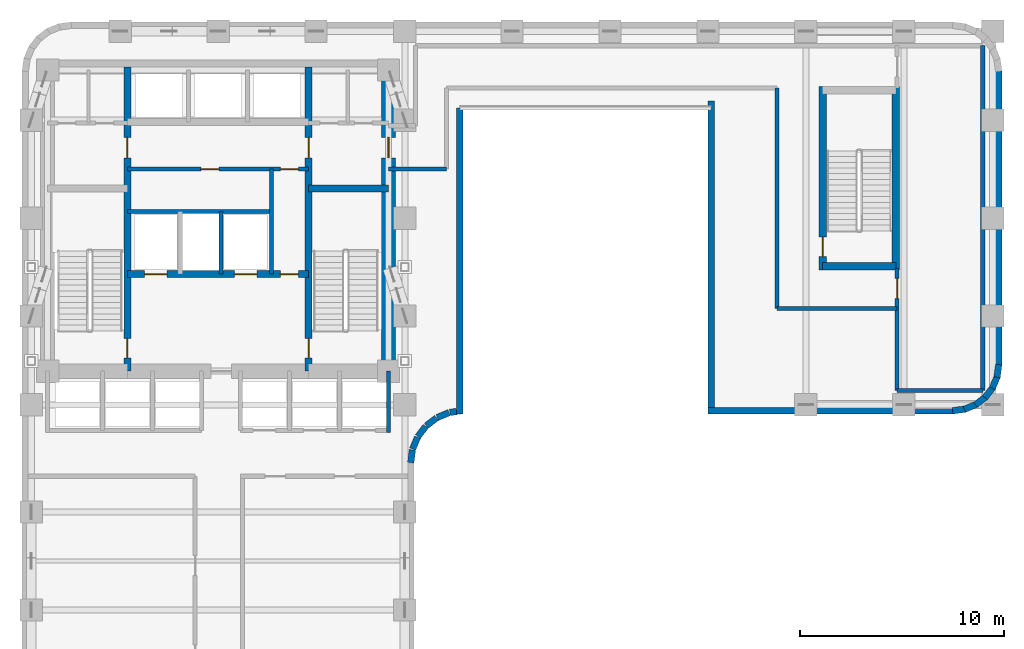
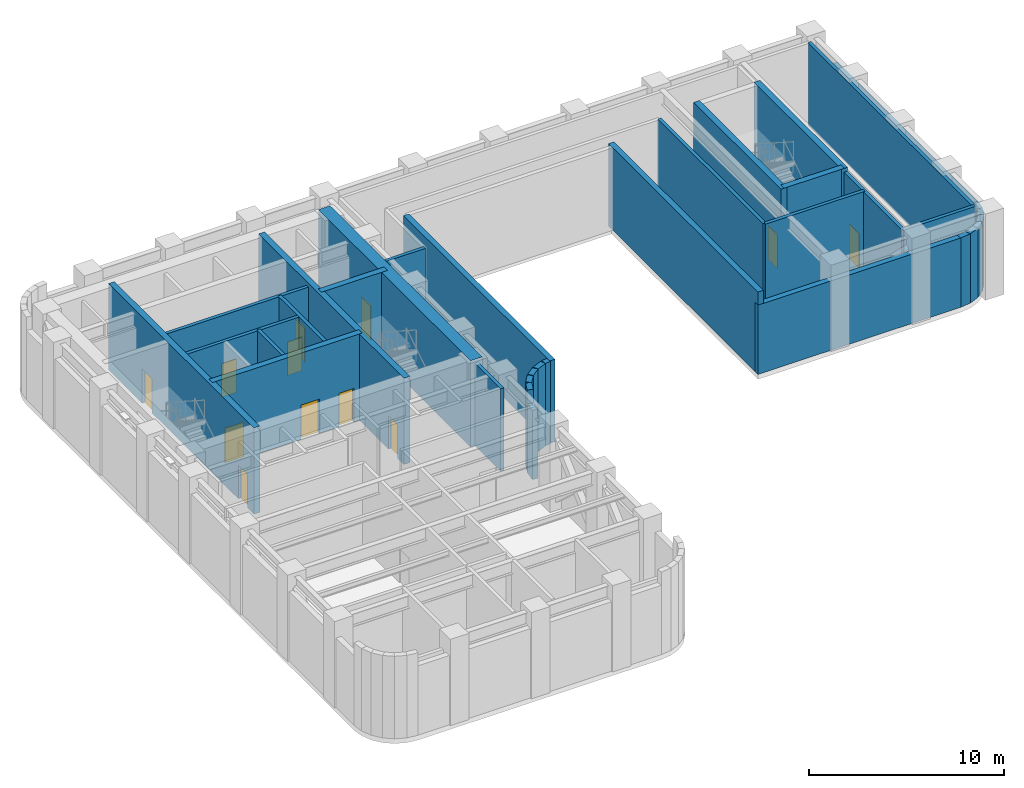
# One storey, part 6 of 9: 35 walls, 12 doors, 12 openings.
"""IFC4 building model written with IfcOpenShell, lengths in metres."""

from ifc_helpers import new_model, si_unit, direction, frame, frame_2d, origin, place, context, subcontext, project, spatial, rectangle, extrude, material, layer, layer_set, type_object, element, fill, save


model = new_model("IFC4")

# Units and contexts
model_context = context("Model", 3, precision=1e-05, world=origin(), true_north=direction((0.0, 1.0)))
body_context = subcontext(model_context, "Body", "Model", "MODEL_VIEW")
ifc_project = project(units=[si_unit("LENGTHUNIT", "METRE"), si_unit("AREAUNIT", "SQUARE_METRE"), si_unit("VOLUMEUNIT", "CUBIC_METRE"), si_unit("PLANEANGLEUNIT", "RADIAN"), si_unit("MASSUNIT", "GRAM", prefix="KILO")], contexts=[model_context])

# Site, building, storey
site_placement = place(None, origin())
site = spatial("IfcSite", under=ifc_project, at=site_placement, CompositionType="ELEMENT")
building_placement = place(site_placement, origin())
building = spatial("IfcBuilding", under=site, at=building_placement, Name="Orvandelia Arch Residences", CompositionType="ELEMENT")
storey_placement = place(building_placement, frame((0.0, 0.0, 101.800048828125)))
storey = spatial("IfcBuildingStorey", under=building, at=storey_placement, Name="L26", CompositionType="ELEMENT", Elevation=101.800048828125)

# Wall, openings, doors
ifc_material_1 = material(Name="Concrete C50/60", Category="concrete")
ifc_layer_1 = layer(ifc_material_1, 0.35009765625, Name="Concrete C50/60", Category="concrete")
ifc_layer_set_1 = layer_set([ifc_layer_1], Name="Concrete C50/60")
wall_type_1 = type_object("IfcWallType", Name="WL-CORE-350", PredefinedType="SHEAR", material=ifc_layer_set_1)
wall_1_placement = place(storey_placement, frame((9.9599609375, 30.89990234375, 0.0), z_axis=(0.0, 0.0, 1.0), x_axis=(0.0, 1.0, 0.0)))
wall_1 = element("IfcWall", 1, at=wall_1_placement, inside=storey, type_object=wall_type_1, Name="Core Shear Wall L26-WEB1", PredefinedType="SHEAR", context=body_context, shape_type="SweptSolid", body=[
    extrude(rectangle(XDim=14.900146484375, YDim=0.35009765625, at=frame_2d((7.4501953125, 0.0))), origin(), (0.0, 0.0, 1.0), 5.39990234375),
])
opening_1_placement = place(wall_1_placement, frame((0.64990234375, 0.0, 0.0)))
opening_1 = element("IfcOpeningElement", 2, at=opening_1_placement, cuts=wall_1, Name="Opening D7", PredefinedType="OPENING", context=body_context, shape_type="SweptSolid", body=[
    extrude(rectangle(XDim=0.949951171875, YDim=2.10009765625, at=frame_2d((0.47509765625, 1.050048828125))), frame((0.0, 0.18505859375, 0.0), z_axis=(0.0, -1.0, 0.0), x_axis=(1.0, 0.0, 0.0)), (0.0, 0.0, 1.0), 0.3701171875),
])
opening_2_placement = place(wall_1_placement, frame((10.449951171875, 0.0, 0.0)))
opening_2 = element("IfcOpeningElement", 3, at=opening_2_placement, cuts=wall_1, Name="Opening D6", PredefinedType="OPENING", context=body_context, shape_type="SweptSolid", body=[
    extrude(rectangle(XDim=1.0, YDim=2.14990234375, at=frame_2d((0.5, 1.074951171875))), frame((0.0, 0.18505859375, 0.0), z_axis=(0.0, -1.0, 0.0), x_axis=(1.0, 0.0, 0.0)), (0.0, 0.0, 1.0), 0.3701171875),
])
ifc_material_2 = material(Name="Smokeproof Painted Steel Fire Door", Category="steel")
door_type_1 = type_object("IfcDoorType", Name="DR-FD60-1000", OperationType="NOTDEFINED", PredefinedType="DOOR", material=ifc_material_2)
door_1_placement = place(opening_2_placement, origin())
door_1 = element("IfcDoor", 4, at=door_1_placement, inside=storey, type_object=door_type_1, Name="High-Rise Lift Hall West Vestibule Door L26", OperationType="SINGLE_SWING_LEFT", OverallHeight=2.14990234375, OverallWidth=1.0, PredefinedType="DOOR", context=body_context, shape_type="SweptSolid", body=[
    extrude(rectangle(XDim=1.0, YDim=2.14990234375, at=frame_2d((0.5, 1.074951171875))), frame((0.0, 0.02490234375, 0.0), z_axis=(0.0, -1.0, 0.0), x_axis=(1.0, 0.0, 0.0)), (0.0, 0.0, 1.0), 0.050048828125),
])
fill(opening_2, door_1)
ifc_material_3 = material(Name="Pressurised Stairwell Fire Door")
door_type_2 = type_object("IfcDoorType", Name="DR-STAIR-950", OperationType="NOTDEFINED", PredefinedType="DOOR", material=ifc_material_3)
door_2_placement = place(opening_1_placement, origin())
door_2 = element("IfcDoor", 5, at=door_2_placement, inside=storey, type_object=door_type_2, Name="Stairwell ST-1 Fire Door L26", OperationType="SINGLE_SWING_LEFT", OverallHeight=2.10009765625, OverallWidth=0.949951171875, PredefinedType="DOOR", context=body_context, shape_type="SweptSolid", body=[
    extrude(rectangle(XDim=0.949951171875, YDim=2.10009765625, at=frame_2d((0.47509765625, 1.050048828125))), frame((0.0, 0.02490234375, 0.0), z_axis=(0.0, -1.0, 0.0), x_axis=(1.0, 0.0, 0.0)), (0.0, 0.0, 1.0), 0.050048828125),
])
fill(opening_1, door_2)

wall_2_placement = place(storey_placement, frame((18.840087890625, 30.89990234375, 0.0), z_axis=(0.0, 0.0, 1.0), x_axis=(0.0, 1.0, 0.0)))
wall_2 = element("IfcWall", 6, at=wall_2_placement, inside=storey, type_object=wall_type_1, Name="Core Shear Wall L26-WEB2", PredefinedType="SHEAR", context=body_context, shape_type="SweptSolid", body=[
    extrude(rectangle(XDim=14.900146484375, YDim=0.35009765625, at=frame_2d((7.4501953125, 0.0))), origin(), (0.0, 0.0, 1.0), 5.39990234375),
])
opening_3_placement = place(wall_2_placement, frame((0.64990234375, 0.0, 0.0)))
opening_3 = element("IfcOpeningElement", 7, at=opening_3_placement, cuts=wall_2, Name="Opening D7", PredefinedType="OPENING", context=body_context, shape_type="SweptSolid", body=[
    extrude(rectangle(XDim=0.949951171875, YDim=2.10009765625, at=frame_2d((0.47509765625, 1.050048828125))), frame((0.0, 0.18505859375, 0.0), z_axis=(0.0, -1.0, 0.0), x_axis=(1.0, 0.0, 0.0)), (0.0, 0.0, 1.0), 0.3701171875),
])
opening_4_placement = place(wall_2_placement, frame((10.449951171875, 0.0, 0.0)))
opening_4 = element("IfcOpeningElement", 8, at=opening_4_placement, cuts=wall_2, Name="Opening D6", PredefinedType="OPENING", context=body_context, shape_type="SweptSolid", body=[
    extrude(rectangle(XDim=1.0, YDim=2.14990234375, at=frame_2d((0.5, 1.074951171875))), frame((0.0, 0.18505859375, 0.0), z_axis=(0.0, -1.0, 0.0), x_axis=(1.0, 0.0, 0.0)), (0.0, 0.0, 1.0), 0.3701171875),
])
door_3_placement = place(opening_4_placement, origin())
door_3 = element("IfcDoor", 9, at=door_3_placement, inside=storey, type_object=door_type_1, Name="High-Rise Lift Hall East Vestibule Door L26", OperationType="SINGLE_SWING_RIGHT", OverallHeight=2.14990234375, OverallWidth=1.0, PredefinedType="DOOR", context=body_context, shape_type="SweptSolid", body=[
    extrude(rectangle(XDim=1.0, YDim=2.14990234375, at=frame_2d((0.5, 1.074951171875))), frame((0.0, 0.02490234375, 0.0), z_axis=(0.0, -1.0, 0.0), x_axis=(1.0, 0.0, 0.0)), (0.0, 0.0, 1.0), 0.050048828125),
])
fill(opening_4, door_3)
door_4_placement = place(opening_3_placement, origin())
door_4 = element("IfcDoor", 10, at=door_4_placement, inside=storey, type_object=door_type_2, Name="Stairwell ST-2 Fire Door L26", OperationType="SINGLE_SWING_RIGHT", OverallHeight=2.10009765625, OverallWidth=0.949951171875, PredefinedType="DOOR", context=body_context, shape_type="SweptSolid", body=[
    extrude(rectangle(XDim=0.949951171875, YDim=2.10009765625, at=frame_2d((0.47509765625, 1.050048828125))), frame((0.0, 0.02490234375, 0.0), z_axis=(0.0, -1.0, 0.0), x_axis=(1.0, 0.0, 0.0)), (0.0, 0.0, 1.0), 0.050048828125),
])
fill(opening_3, door_4)

# Wall
wall_3_placement = place(storey_placement, frame((18.840087890625, 39.85009765625, 0.0), z_axis=(0.0, 0.0, 1.0), x_axis=(1.0, 0.0, 0.0)))
element("IfcWall", 11, at=wall_3_placement, inside=storey, type_object=wall_type_1, Name="Core Shear Wall L26-HZ2", PredefinedType="SHEAR", context=body_context, shape_type="SweptSolid", body=[
    extrude(rectangle(XDim=3.909912109375, YDim=0.35009765625, at=frame_2d((1.955078125, 0.0))), origin(), (0.0, 0.0, 1.0), 5.39990234375),
])

# Wall, openings, doors
wall_4_placement = place(storey_placement, frame((9.9599609375, 35.64990234375, 0.0), z_axis=(0.0, 0.0, 1.0), x_axis=(1.0, 0.0, 0.0)))
wall_4 = element("IfcWall", 12, at=wall_4_placement, inside=storey, type_object=wall_type_1, Name="Core Shear Wall L26-HZ3", PredefinedType="SHEAR", context=body_context, shape_type="SweptSolid", body=[
    extrude(rectangle(XDim=8.880126953125, YDim=0.35009765625, at=frame_2d((4.43994140625, 0.0))), origin(), (0.0, 0.0, 1.0), 5.39990234375),
])
opening_5_placement = place(wall_4_placement, frame((0.840087890625, 0.0, 0.0)))
opening_5 = element("IfcOpeningElement", 13, at=opening_5_placement, cuts=wall_4, Name="Opening FLD", PredefinedType="OPENING", context=body_context, shape_type="SweptSolid", body=[
    extrude(rectangle(XDim=1.10009765625, YDim=2.14990234375, at=frame_2d((0.550048828125, 1.074951171875))), frame((0.0, 0.18505859375, 0.0), z_axis=(0.0, -1.0, 0.0), x_axis=(1.0, 0.0, 0.0)), (0.0, 0.0, 1.0), 0.3701171875),
])
opening_6_placement = place(wall_4_placement, frame((5.239990234375, 0.0, 0.0)))
opening_6 = element("IfcOpeningElement", 14, at=opening_6_placement, cuts=wall_4, Name="Opening FLD", PredefinedType="OPENING", context=body_context, shape_type="SweptSolid", body=[
    extrude(rectangle(XDim=1.10009765625, YDim=2.14990234375, at=frame_2d((0.550048828125, 1.074951171875))), frame((0.0, 0.18505859375, 0.0), z_axis=(0.0, -1.0, 0.0), x_axis=(1.0, 0.0, 0.0)), (0.0, 0.0, 1.0), 0.3701171875),
])
opening_7_placement = place(wall_4_placement, frame((7.5, 0.0, 0.0)))
opening_7 = element("IfcOpeningElement", 15, at=opening_7_placement, cuts=wall_4, Name="Opening D5", PredefinedType="OPENING", context=body_context, shape_type="SweptSolid", body=[
    extrude(rectangle(XDim=0.8798828125, YDim=2.10009765625, at=frame_2d((0.43994140625, 1.050048828125))), frame((0.0, 0.18505859375, 0.0), z_axis=(0.0, -1.0, 0.0), x_axis=(1.0, 0.0, 0.0)), (0.0, 0.0, 1.0), 0.3701171875),
])
ifc_material_4 = material(Name="Firefighting Lift Stainless Sliding Door")
door_type_3 = type_object("IfcDoorType", Name="DR-FLFT-1100", OperationType="NOTDEFINED", PredefinedType="DOOR", material=ifc_material_4)
door_5_placement = place(opening_5_placement, origin())
door_5 = element("IfcDoor", 16, at=door_5_placement, inside=storey, type_object=door_type_3, Name="Firefighting Lift Landing Door FLD-FL1-L26", OperationType="SLIDING_TO_LEFT", OverallHeight=2.14990234375, OverallWidth=1.10009765625, PredefinedType="DOOR", context=body_context, shape_type="SweptSolid", body=[
    extrude(rectangle(XDim=1.10009765625, YDim=2.14990234375, at=frame_2d((0.550048828125, 1.074951171875))), frame((0.0, 0.02490234375, 0.0), z_axis=(0.0, -1.0, 0.0), x_axis=(1.0, 0.0, 0.0)), (0.0, 0.0, 1.0), 0.050048828125),
])
fill(opening_5, door_5)
door_6_placement = place(opening_6_placement, origin())
door_6 = element("IfcDoor", 17, at=door_6_placement, inside=storey, type_object=door_type_3, Name="Firefighting Lift Landing Door FLD-FL2-L26", OperationType="SLIDING_TO_RIGHT", OverallHeight=2.14990234375, OverallWidth=1.10009765625, PredefinedType="DOOR", context=body_context, shape_type="SweptSolid", body=[
    extrude(rectangle(XDim=1.10009765625, YDim=2.14990234375, at=frame_2d((0.550048828125, 1.074951171875))), frame((0.0, 0.02490234375, 0.0), z_axis=(0.0, -1.0, 0.0), x_axis=(1.0, 0.0, 0.0)), (0.0, 0.0, 1.0), 0.050048828125),
])
fill(opening_6, door_6)
ifc_material_5 = material(Name="Painted Galvanised Steel Service Door", Category="steel")
door_type_4 = type_object("IfcDoorType", Name="DR-SRV-880", OperationType="NOTDEFINED", PredefinedType="DOOR", material=ifc_material_5)
door_7_placement = place(opening_7_placement, origin())
door_7 = element("IfcDoor", 18, at=door_7_placement, inside=storey, type_object=door_type_4, Name="Core Stairway Passage South Fire Door L26", OperationType="SINGLE_SWING_LEFT", OverallHeight=2.10009765625, OverallWidth=0.8798828125, PredefinedType="DOOR", context=body_context, shape_type="SweptSolid", body=[
    extrude(rectangle(XDim=0.8798828125, YDim=2.10009765625, at=frame_2d((0.43994140625, 1.050048828125))), frame((0.0, 0.02490234375, 0.0), z_axis=(0.0, -1.0, 0.0), x_axis=(1.0, 0.0, 0.0)), (0.0, 0.0, 1.0), 0.050048828125),
])
fill(opening_7, door_7)

# Wall, opening, door
wall_5_placement = place(storey_placement, frame((44.02001953125, 35.864990234375, 0.0), z_axis=(0.0, 0.0, 1.0), x_axis=(0.0, 1.0, 0.0)))
wall_5 = element("IfcWall", 19, at=wall_5_placement, inside=storey, type_object=wall_type_1, Name="East Stair Core Shear Wall L26-W", PredefinedType="SHEAR", context=body_context, shape_type="SweptSolid", body=[
    extrude(rectangle(XDim=8.969970703125, YDim=0.35009765625, at=frame_2d((4.48486328125, 0.0))), origin(), (0.0, 0.0, 1.0), 5.39990234375),
])
opening_8_placement = place(wall_5_placement, frame((0.64990234375, 0.0, 0.0)))
opening_8 = element("IfcOpeningElement", 20, at=opening_8_placement, cuts=wall_5, Name="Opening D7", PredefinedType="OPENING", context=body_context, shape_type="SweptSolid", body=[
    extrude(rectangle(XDim=0.949951171875, YDim=2.10009765625, at=frame_2d((0.47509765625, 1.050048828125))), frame((0.0, 0.18505859375, 0.0), z_axis=(0.0, -1.0, 0.0), x_axis=(1.0, 0.0, 0.0)), (0.0, 0.0, 1.0), 0.3701171875),
])
door_8_placement = place(opening_8_placement, origin())
door_8 = element("IfcDoor", 21, at=door_8_placement, inside=storey, type_object=door_type_2, Name="East Stairwell ST-3 Fire Door L26", OperationType="SINGLE_SWING_LEFT", OverallHeight=2.10009765625, OverallWidth=0.949951171875, PredefinedType="DOOR", context=body_context, shape_type="SweptSolid", body=[
    extrude(rectangle(XDim=0.949951171875, YDim=2.10009765625, at=frame_2d((0.47509765625, 1.050048828125))), frame((0.0, 0.02490234375, 0.0), z_axis=(0.0, -1.0, 0.0), x_axis=(1.0, 0.0, 0.0)), (0.0, 0.0, 1.0), 0.050048828125),
])
fill(opening_8, door_8)

# Walls
wall_6_placement = place(storey_placement, frame((47.60009765625, 35.864990234375, 0.0), z_axis=(0.0, 0.0, 1.0), x_axis=(0.0, 1.0, 0.0)))
element("IfcWall", 22, at=wall_6_placement, inside=storey, type_object=wall_type_1, Name="East Stair Core Shear Wall L26-E", PredefinedType="SHEAR", context=body_context, shape_type="SweptSolid", body=[
    extrude(rectangle(XDim=8.969970703125, YDim=0.35009765625, at=frame_2d((4.48486328125, 0.0))), origin(), (0.0, 0.0, 1.0), 5.39990234375),
])
wall_7_placement = place(storey_placement, frame((44.02001953125, 36.0400390625, 0.0), z_axis=(0.0, 0.0, 1.0), x_axis=(1.0, 0.0, 0.0)))
element("IfcWall", 23, at=wall_7_placement, inside=storey, type_object=wall_type_1, Name="East Stair Core Shear Wall L26-S", PredefinedType="SHEAR", context=body_context, shape_type="SweptSolid", body=[
    extrude(rectangle(XDim=3.580078125, YDim=0.35009765625, at=frame_2d((1.7900390625, 0.0))), origin(), (0.0, 0.0, 1.0), 5.39990234375),
])

# Wall, opening, door
ifc_material_6 = material(Name="Concrete C80/95", Category="concrete")
ifc_layer_2 = layer(ifc_material_6, 0.699951171875, Name="Concrete C80/95", Category="concrete")
ifc_layer_set_2 = layer_set([ifc_layer_2], Name="Concrete C80/95")
wall_type_2 = type_object("IfcWallType", Name="WL-CORE-700", PredefinedType="SHEAR", material=ifc_layer_set_2)
wall_8_placement = place(storey_placement, frame((22.75, 30.550048828125, 0.0), z_axis=(0.0, 0.0, 1.0), x_axis=(0.0, 1.0, 0.0)))
wall_8 = element("IfcWall", 24, at=wall_8_placement, inside=storey, type_object=wall_type_2, Name="Core Shear Wall L26-E", PredefinedType="SHEAR", context=body_context, shape_type="SweptSolid", body=[
    extrude(rectangle(XDim=15.599853515625, YDim=0.699951171875, at=frame_2d((7.7998046875, 0.0))), origin(), (0.0, 0.0, 1.0), 5.39990234375),
])
opening_9_placement = place(wall_8_placement, frame((10.800048828125, 0.0, 0.0)))
opening_9 = element("IfcOpeningElement", 25, at=opening_9_placement, cuts=wall_8, Name="Opening D6", PredefinedType="OPENING", context=body_context, shape_type="SweptSolid", body=[
    extrude(rectangle(XDim=1.0, YDim=2.14990234375, at=frame_2d((0.5, 1.074951171875))), frame((0.0, 0.35986328125, 0.0), z_axis=(0.0, -1.0, 0.0), x_axis=(1.0, 0.0, 0.0)), (0.0, 0.0, 1.0), 0.719970703125),
])
door_9_placement = place(opening_9_placement, origin())
door_9 = element("IfcDoor", 26, at=door_9_placement, inside=storey, type_object=door_type_1, Name="Core East Corridor Link Door L26", OperationType="SINGLE_SWING_LEFT", OverallHeight=2.14990234375, OverallWidth=1.0, PredefinedType="DOOR", context=body_context, shape_type="SweptSolid", body=[
    extrude(rectangle(XDim=1.0, YDim=2.14990234375, at=frame_2d((0.5, 1.074951171875))), frame((0.0, 0.02490234375, 0.0), z_axis=(0.0, -1.0, 0.0), x_axis=(1.0, 0.0, 0.0)), (0.0, 0.0, 1.0), 0.050048828125),
])
fill(opening_9, door_9)

# Walls
ifc_material_7 = material(Name="Fire-Rated Corridor Partition")
ifc_layer_3 = layer(ifc_material_7, 0.199951171875, Name="Fire-Rated Corridor Partition")
ifc_layer_set_3 = layer_set([ifc_layer_3], Name="Fire-Rated Corridor Partition")
wall_type_3 = type_object("IfcWallType", Name="WL-CORR-200", PredefinedType="PARTITIONING", material=ifc_layer_set_3)
wall_9_placement = place(storey_placement, frame((22.75, 40.800048828125, 0.0), z_axis=(0.0, 0.0, 1.0), x_axis=(1.0, 0.0, 0.0)))
element("IfcWall", 27, at=wall_9_placement, inside=storey, type_object=wall_type_3, Name="Interior Partition Wall WL-L26-ERL-KS", PredefinedType="PARTITIONING", context=body_context, shape_type="SweptSolid", body=[
    extrude(rectangle(XDim=2.85009765625, YDim=0.199951171875, at=frame_2d((1.425048828125, 0.0))), origin(), (0.0, 0.0, 1.0), 5.159912109375),
])
wall_10_placement = place(storey_placement, frame((41.780029296875, 33.9599609375, 0.0), z_axis=(0.0, 0.0, 1.0), x_axis=(0.0, 1.0, 0.0)))
element("IfcWall", 28, at=wall_10_placement, inside=storey, type_object=wall_type_3, Name="Interior Partition Wall WL-L26-ERL-SW", PredefinedType="PARTITIONING", context=body_context, shape_type="SweptSolid", body=[
    extrude(rectangle(XDim=10.800048828125, YDim=0.199951171875, at=frame_2d((5.39990234375, 0.0))), origin(), (0.0, 0.0, 1.0), 5.159912109375),
])
wall_11_placement = place(storey_placement, frame((41.780029296875, 33.9599609375, 0.0), z_axis=(0.0, 0.0, 1.0), x_axis=(1.0, 0.0, 0.0)))
element("IfcWall", 29, at=wall_11_placement, inside=storey, type_object=wall_type_3, Name="Interior Partition Wall WL-L26-ERL-SS", PredefinedType="PARTITIONING", context=body_context, shape_type="SweptSolid", body=[
    extrude(rectangle(XDim=5.8798828125, YDim=0.199951171875, at=frame_2d((2.93994140625, 0.0))), origin(), (0.0, 0.0, 1.0), 5.159912109375),
])

# Wall, opening, door
wall_12_placement = place(storey_placement, frame((47.659912109375, 29.9599609375, 0.0), z_axis=(0.0, 0.0, 1.0), x_axis=(0.0, 1.0, 0.0)))
wall_12 = element("IfcWall", 30, at=wall_12_placement, inside=storey, type_object=wall_type_3, Name="Interior Partition Wall WL-L26-EREF-W2", PredefinedType="PARTITIONING", context=body_context, shape_type="SweptSolid", body=[
    extrude(rectangle(XDim=5.9599609375, YDim=0.199951171875, at=frame_2d((2.97998046875, 0.0))), origin(), (0.0, 0.0, 1.0), 5.159912109375),
])
opening_10_placement = place(wall_12_placement, frame((4.489990234375, 0.0, 0.0)))
opening_10 = element("IfcOpeningElement", 31, at=opening_10_placement, cuts=wall_12, Name="Opening D6", PredefinedType="OPENING", context=body_context, shape_type="SweptSolid", body=[
    extrude(rectangle(XDim=1.0, YDim=2.14990234375, at=frame_2d((0.5, 1.074951171875))), frame((0.0, 0.10986328125, 0.0), z_axis=(0.0, -1.0, 0.0), x_axis=(1.0, 0.0, 0.0)), (0.0, 0.0, 1.0), 0.219970703125),
])
door_10_placement = place(opening_10_placement, origin())
door_10 = element("IfcDoor", 32, at=door_10_placement, inside=storey, type_object=door_type_1, Name="East Refuge Safety Zone South Fire Door L26", OperationType="SINGLE_SWING_RIGHT", OverallHeight=2.14990234375, OverallWidth=1.0, PredefinedType="DOOR", context=body_context, shape_type="SweptSolid", body=[
    extrude(rectangle(XDim=1.0, YDim=2.14990234375, at=frame_2d((0.5, 1.074951171875))), frame((0.0, 0.02490234375, 0.0), z_axis=(0.0, -1.0, 0.0), x_axis=(1.0, 0.0, 0.0)), (0.0, 0.0, 1.0), 0.050048828125),
])
fill(opening_10, door_10)

# Walls
wall_13_placement = place(storey_placement, frame((51.860107421875, 29.9599609375, 0.0), z_axis=(0.0, 0.0, 1.0), x_axis=(0.0, 1.0, 0.0)))
element("IfcWall", 33, at=wall_13_placement, inside=storey, type_object=wall_type_3, Name="Interior Partition Wall WL-L26-EREF-E", PredefinedType="PARTITIONING", context=body_context, shape_type="SweptSolid", body=[
    extrude(rectangle(XDim=16.880126953125, YDim=0.199951171875, at=frame_2d((8.43994140625, 0.0))), origin(), (0.0, 0.0, 1.0), 5.159912109375),
])
wall_14_placement = place(storey_placement, frame((47.659912109375, 29.9599609375, 0.0), z_axis=(0.0, 0.0, 1.0), x_axis=(1.0, 0.0, 0.0)))
element("IfcWall", 34, at=wall_14_placement, inside=storey, type_object=wall_type_3, Name="Interior Partition Wall WL-L26-EREF-S", PredefinedType="PARTITIONING", context=body_context, shape_type="SweptSolid", body=[
    extrude(rectangle(XDim=4.2001953125, YDim=0.199951171875, at=frame_2d((2.10009765625, 0.0))), origin(), (0.0, 0.0, 1.0), 5.159912109375),
])
ifc_material_8 = material(Name="Precast concrete C40/50", Category="concrete")
ifc_layer_4 = layer(ifc_material_8, 0.320068359375, Name="Precast concrete C40/50", Category="concrete")
ifc_layer_set_4 = layer_set([ifc_layer_4], Name="Precast concrete C40/50")
wall_type_4 = type_object("IfcWallType", Name="WL-EXT-STONE-320", PredefinedType="STANDARD", material=ifc_layer_set_4)
wall_15_placement = place(storey_placement, frame((52.639892578125, 45.60009765625, 0.0), z_axis=(0.0, 0.0, 1.0), x_axis=(0.0, -1.0, 0.0)))
element("IfcWall", 35, at=wall_15_placement, inside=storey, type_object=wall_type_4, Name="Coral-Limestone Precast Facade Wall L26-014", PredefinedType="STANDARD", context=body_context, shape_type="SweptSolid", body=[
    extrude(rectangle(XDim=14.400146484375, YDim=0.320068359375, at=frame_2d((7.2001953125, 0.0))), origin(), (0.0, 0.0, 1.0), 4.33984375),
])
wall_16_placement = place(storey_placement, frame((52.641357421875, 31.220947265625, 0.0), z_axis=(0.0, 0.0, 1.0), x_axis=(-0.130504898859, -0.991447664465, 0.0)))
element("IfcWall", 36, at=wall_16_placement, inside=storey, type_object=wall_type_4, Name="Coral-Limestone Precast Facade Wall L26-015", PredefinedType="STANDARD", context=body_context, shape_type="SweptSolid", body=[
    extrude(rectangle(XDim=0.626708984375, YDim=0.320068359375, at=frame_2d((0.3134765625, 0.0))), origin(), (0.0, 0.0, 1.0), 4.33984375),
])
wall_17_placement = place(storey_placement, frame((52.5703125, 30.639892578125, 0.0), z_axis=(0.0, 0.0, 1.0), x_axis=(-0.382455093999, -0.923974080304, 0.0)))
element("IfcWall", 37, at=wall_17_placement, inside=storey, type_object=wall_type_4, Name="Coral-Limestone Precast Facade Wall L26-016", PredefinedType="STANDARD", context=body_context, shape_type="SweptSolid", body=[
    extrude(rectangle(XDim=0.626220703125, YDim=0.320068359375, at=frame_2d((0.31298828125, 0.0))), origin(), (0.0, 0.0, 1.0), 4.33984375),
])
wall_18_placement = place(storey_placement, frame((52.3515625, 30.097412109375, 0.0), z_axis=(0.0, 0.0, 1.0), x_axis=(-0.608693302629, -0.793405610854, 0.0)))
element("IfcWall", 38, at=wall_18_placement, inside=storey, type_object=wall_type_4, Name="Coral-Limestone Precast Facade Wall L26-017", PredefinedType="STANDARD", context=body_context, shape_type="SweptSolid", body=[
    extrude(rectangle(XDim=0.62646484375, YDim=0.320068359375, at=frame_2d((0.313232421875, 0.0))), origin(), (0.0, 0.0, 1.0), 4.33984375),
])
wall_19_placement = place(storey_placement, frame((51.999755859375, 29.6298828125, 0.0), z_axis=(0.0, 0.0, 1.0), x_axis=(-0.7932174212, -0.608938521285, 0.0)))
element("IfcWall", 39, at=wall_19_placement, inside=storey, type_object=wall_type_4, Name="Coral-Limestone Precast Facade Wall L26-018", PredefinedType="STANDARD", context=body_context, shape_type="SweptSolid", body=[
    extrude(rectangle(XDim=0.626708984375, YDim=0.320068359375, at=frame_2d((0.3134765625, 0.0))), origin(), (0.0, 0.0, 1.0), 4.33984375),
])
for number, where, z_axis, x_axis, name in (
    (40, (51.538818359375, 29.269287109375, 0.0), (0.0, 0.0, 1.0), (-0.92389335771, -0.382650053678, 0.0), "Coral-Limestone Precast Facade Wall L26-019"),
    (41, (51.000244140625, 29.040283203125, 0.0), (0.0, 0.0, 1.0), (-0.9914410257, -0.130555323746, 0.0), "Coral-Limestone Precast Facade Wall L26-020"),
):
    element("IfcWall", number, at=place(storey_placement, frame(where, z_axis=z_axis, x_axis=x_axis)), inside=storey, type_object=wall_type_4, Name=name, PredefinedType="STANDARD", context=body_context, shape_type="SweptSolid", body=[
        extrude(rectangle(XDim=0.62646484375, YDim=0.320068359375, at=frame_2d((0.313232421875, 0.0))), origin(), (0.0, 0.0, 1.0), 4.33984375),
    ])
wall_20_placement = place(storey_placement, frame((50.39990234375, 28.9599609375, 0.0), z_axis=(0.0, 0.0, 1.0), x_axis=(-1.0, 0.0, 0.0)))
element("IfcWall", 42, at=wall_20_placement, inside=storey, type_object=wall_type_4, Name="Coral-Limestone Precast Facade Wall L26-021", PredefinedType="STANDARD", context=body_context, shape_type="SweptSolid", body=[
    extrude(rectangle(XDim=12.0, YDim=0.320068359375, at=frame_2d((6.0, 0.0))), origin(), (0.0, 0.0, 1.0), 4.33984375),
])
wall_21_placement = place(storey_placement, frame((38.56005859375, 28.800048828125, 0.0), z_axis=(0.0, 0.0, 1.0), x_axis=(0.0, 1.0, 0.0)))
element("IfcWall", 43, at=wall_21_placement, inside=storey, type_object=wall_type_4, Name="Coral-Limestone Precast Facade Wall L26-022", PredefinedType="STANDARD", context=body_context, shape_type="SweptSolid", body=[
    extrude(rectangle(XDim=15.320068359375, YDim=0.320068359375, at=frame_2d((7.66015625, 0.0))), origin(), (0.0, 0.0, 1.0), 5.159912109375),
])
wall_22_placement = place(storey_placement, frame((26.239990234375, 43.800048828125, 0.0), z_axis=(0.0, 0.0, 1.0), x_axis=(0.0, -1.0, 0.0)))
element("IfcWall", 44, at=wall_22_placement, inside=storey, type_object=wall_type_4, Name="Coral-Limestone Precast Facade Wall L26-023", PredefinedType="STANDARD", context=body_context, shape_type="SweptSolid", body=[
    extrude(rectangle(XDim=15.0, YDim=0.320068359375, at=frame_2d((7.5, 0.0))), origin(), (0.0, 0.0, 1.0), 5.159912109375),
])
wall_23_placement = place(storey_placement, frame((26.081787109375, 28.91943359375, 0.0), z_axis=(0.0, 0.0, 1.0), x_axis=(-0.991512688813, -0.130009953168, 0.0)))
element("IfcWall", 45, at=wall_23_placement, inside=storey, type_object=wall_type_4, Name="Coral-Limestone Precast Facade Wall L26-024", PredefinedType="STANDARD", context=body_context, shape_type="SweptSolid", body=[
    extrude(rectangle(XDim=0.32666015625, YDim=0.320068359375, at=frame_2d((0.163330078125, 0.0))), origin(), (0.0, 0.0, 1.0), 5.159912109375),
])
wall_24_placement = place(storey_placement, frame((25.717529296875, 28.865966796875, 0.0), z_axis=(0.0, 0.0, 1.0), x_axis=(-0.923836271867, -0.382787856107, 0.0)))
element("IfcWall", 46, at=wall_24_placement, inside=storey, type_object=wall_type_4, Name="Coral-Limestone Precast Facade Wall L26-025", PredefinedType="STANDARD", context=body_context, shape_type="SweptSolid", body=[
    extrude(rectangle(XDim=0.626220703125, YDim=0.320068359375, at=frame_2d((0.31298828125, 0.0))), origin(), (0.0, 0.0, 1.0), 5.159912109375),
])
for number, where, z_axis, x_axis, name in (
    (47, (25.1025390625, 28.60546875, 0.0), (0.0, 0.0, 1.0), (-0.793405610854, -0.608693302629, 0.0), "Coral-Limestone Precast Facade Wall L26-026"),
    (48, (24.575927734375, 28.194580078125, 0.0), (0.0, 0.0, 1.0), (-0.608693302629, -0.793405610854, 0.0), "Coral-Limestone Precast Facade Wall L26-027"),
):
    element("IfcWall", number, at=place(storey_placement, frame(where, z_axis=z_axis, x_axis=x_axis)), inside=storey, type_object=wall_type_4, Name=name, PredefinedType="STANDARD", context=body_context, shape_type="SweptSolid", body=[
        extrude(rectangle(XDim=0.62646484375, YDim=0.320068359375, at=frame_2d((0.313232421875, 0.0))), origin(), (0.0, 0.0, 1.0), 5.159912109375),
    ])
wall_25_placement = place(storey_placement, frame((24.173583984375, 27.6611328125, 0.0), z_axis=(0.0, 0.0, 1.0), x_axis=(-0.382455093999, -0.923974080304, 0.0)))
element("IfcWall", 49, at=wall_25_placement, inside=storey, type_object=wall_type_4, Name="Coral-Limestone Precast Facade Wall L26-028", PredefinedType="STANDARD", context=body_context, shape_type="SweptSolid", body=[
    extrude(rectangle(XDim=0.626220703125, YDim=0.320068359375, at=frame_2d((0.31298828125, 0.0))), origin(), (0.0, 0.0, 1.0), 5.159912109375),
])
wall_26_placement = place(storey_placement, frame((23.923095703125, 27.0419921875, 0.0), z_axis=(0.0, 0.0, 1.0), x_axis=(-0.130555323746, -0.9914410257, 0.0)))
element("IfcWall", 50, at=wall_26_placement, inside=storey, type_object=wall_type_4, Name="Coral-Limestone Precast Facade Wall L26-029", PredefinedType="STANDARD", context=body_context, shape_type="SweptSolid", body=[
    extrude(rectangle(XDim=0.62646484375, YDim=0.320068359375, at=frame_2d((0.313232421875, 0.0))), origin(), (0.0, 0.0, 1.0), 4.33984375),
])
ifc_material_9 = material(Name="Fire-Rated Shaft Enclosure Wall")
ifc_layer_5 = layer(ifc_material_9, 0.199951171875, Name="Fire-Rated Shaft Enclosure Wall")
ifc_layer_set_5 = layer_set([ifc_layer_5], Name="Fire-Rated Shaft Enclosure Wall")
wall_type_5 = type_object("IfcWallType", Name="WL-SHAFT-200", PredefinedType="POLYGONAL", material=ifc_layer_set_5)
wall_27_placement = place(storey_placement, frame((9.9599609375, 38.719970703125, 0.0), z_axis=(0.0, 0.0, 1.0), x_axis=(1.0, 0.0, 0.0)))
element("IfcWall", 51, at=wall_27_placement, inside=storey, type_object=wall_type_5, Name="Interior Partition Wall WL-L26-FLN", PredefinedType="POLYGONAL", context=body_context, shape_type="SweptSolid", body=[
    extrude(rectangle(XDim=7.06005859375, YDim=0.199951171875, at=frame_2d((3.530029296875, 0.0))), origin(), (0.0, 0.0, 1.0), 5.159912109375),
])
wall_28_placement = place(storey_placement, frame((14.550048828125, 35.64990234375, 0.0), z_axis=(0.0, 0.0, 1.0), x_axis=(0.0, 1.0, 0.0)))
element("IfcWall", 52, at=wall_28_placement, inside=storey, type_object=wall_type_5, Name="Interior Partition Wall WL-L26-FLM2", PredefinedType="POLYGONAL", context=body_context, shape_type="SweptSolid", body=[
    extrude(rectangle(XDim=3.070068359375, YDim=0.199951171875, at=frame_2d((1.53515625, 0.0))), origin(), (0.0, 0.0, 1.0), 5.159912109375),
])
wall_29_placement = place(storey_placement, frame((17.02001953125, 35.64990234375, 0.0), z_axis=(0.0, 0.0, 1.0), x_axis=(0.0, 1.0, 0.0)))
element("IfcWall", 53, at=wall_29_placement, inside=storey, type_object=wall_type_5, Name="Interior Partition Wall WL-L26-FLM3", PredefinedType="POLYGONAL", context=body_context, shape_type="SweptSolid", body=[
    extrude(rectangle(XDim=5.150146484375, YDim=0.199951171875, at=frame_2d((2.5751953125, 0.0))), origin(), (0.0, 0.0, 1.0), 5.159912109375),
])

# Wall, openings, doors
wall_30_placement = place(storey_placement, frame((9.9599609375, 40.800048828125, 0.0), z_axis=(0.0, 0.0, 1.0), x_axis=(1.0, 0.0, 0.0)))
wall_30 = element("IfcWall", 54, at=wall_30_placement, inside=storey, type_object=wall_type_5, Name="Interior Partition Wall WL-L26-HLH-S", PredefinedType="POLYGONAL", context=body_context, shape_type="SweptSolid", body=[
    extrude(rectangle(XDim=8.880126953125, YDim=0.199951171875, at=frame_2d((4.43994140625, 0.0))), origin(), (0.0, 0.0, 1.0), 5.159912109375),
])
opening_11_placement = place(wall_30_placement, frame((7.5, 0.0, 0.0)))
opening_11 = element("IfcOpeningElement", 55, at=opening_11_placement, cuts=wall_30, Name="Opening D5", PredefinedType="OPENING", context=body_context, shape_type="SweptSolid", body=[
    extrude(rectangle(XDim=0.8798828125, YDim=2.10009765625, at=frame_2d((0.43994140625, 1.050048828125))), frame((0.0, 0.10986328125, 0.0), z_axis=(0.0, -1.0, 0.0), x_axis=(1.0, 0.0, 0.0)), (0.0, 0.0, 1.0), 0.219970703125),
])
opening_12_placement = place(wall_30_placement, frame((3.60009765625, 0.0, 0.0)))
opening_12 = element("IfcOpeningElement", 56, at=opening_12_placement, cuts=wall_30, Name="Opening D5", PredefinedType="OPENING", context=body_context, shape_type="SweptSolid", body=[
    extrude(rectangle(XDim=0.8798828125, YDim=2.10009765625, at=frame_2d((0.43994140625, 1.050048828125))), frame((0.0, 0.10986328125, 0.0), z_axis=(0.0, -1.0, 0.0), x_axis=(1.0, 0.0, 0.0)), (0.0, 0.0, 1.0), 0.219970703125),
])
door_11_placement = place(opening_11_placement, origin())
door_11 = element("IfcDoor", 57, at=door_11_placement, inside=storey, type_object=door_type_4, Name="Core Stairway Passage North Fire Door L26", OperationType="SINGLE_SWING_RIGHT", OverallHeight=2.10009765625, OverallWidth=0.8798828125, PredefinedType="DOOR", context=body_context, shape_type="SweptSolid", body=[
    extrude(rectangle(XDim=0.8798828125, YDim=2.10009765625, at=frame_2d((0.43994140625, 1.050048828125))), frame((0.0, 0.02490234375, 0.0), z_axis=(0.0, -1.0, 0.0), x_axis=(1.0, 0.0, 0.0)), (0.0, 0.0, 1.0), 0.050048828125),
])
fill(opening_11, door_11)
door_12_placement = place(opening_12_placement, origin())
door_12 = element("IfcDoor", 58, at=door_12_placement, inside=storey, type_object=door_type_4, Name="DR-L26-CSA1", OperationType="SINGLE_SWING_LEFT", OverallHeight=2.10009765625, OverallWidth=0.8798828125, PredefinedType="DOOR", context=body_context, shape_type="SweptSolid", body=[
    extrude(rectangle(XDim=0.8798828125, YDim=2.10009765625, at=frame_2d((0.43994140625, 1.050048828125))), frame((0.0, 0.02490234375, 0.0), z_axis=(0.0, -1.0, 0.0), x_axis=(1.0, 0.0, 0.0)), (0.0, 0.0, 1.0), 0.050048828125),
])
fill(opening_12, door_12)

# Wall
wall_31_placement = place(storey_placement, frame((22.75, 27.89990234375, 0.0), z_axis=(0.0, 0.0, 1.0), x_axis=(0.0, 1.0, 0.0)))
element("IfcWall", 59, at=wall_31_placement, inside=storey, type_object=wall_type_5, Name="Interior Partition Wall WL-L26-BNKM-E", PredefinedType="POLYGONAL", context=body_context, shape_type="SweptSolid", body=[
    extrude(rectangle(XDim=3.0, YDim=0.199951171875, at=frame_2d((1.5, 0.0))), origin(), (0.0, 0.0, 1.0), 5.159912109375),
])

save(model, "model.ifc")
